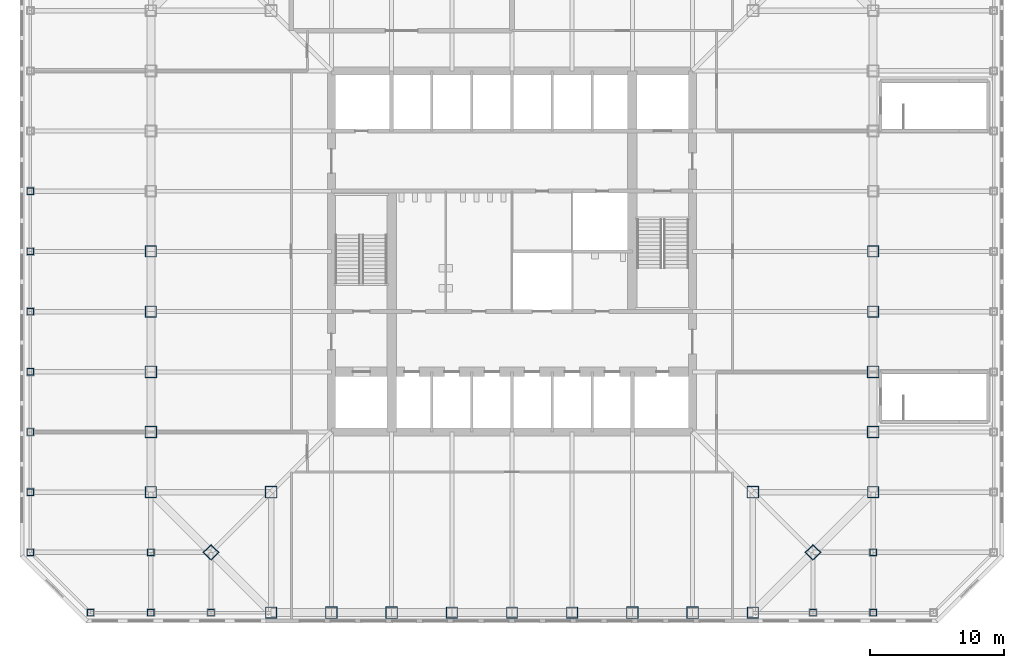
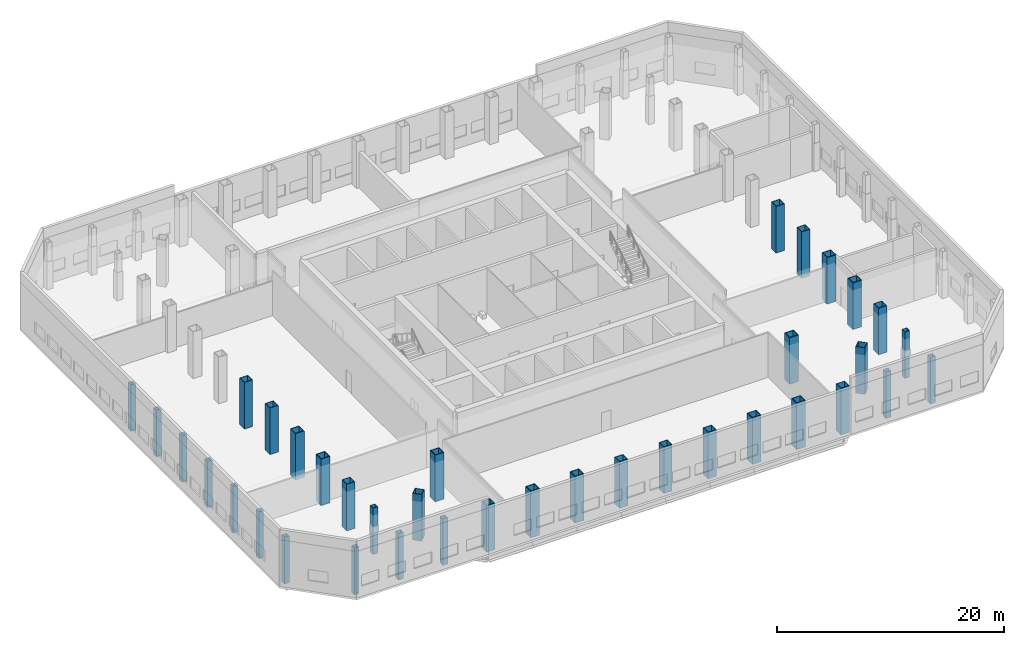
# One storey, part 1 of 14: 37 columns.
"""IFC4 building model written with IfcOpenShell, lengths in metres."""

import ifcopenshell
import ifcopenshell.guid

model = None  # the IFC model being written
_history = None  # IfcOwnerHistory: only IFC2X3 demands one
_inside = {}  # id of a spatial element -> (the spatial element, [elements in it])
_under = {}  # id of a project, library or spatial element -> (it, [spatial elements below it])
_declared = {}  # id of a project -> (the project, [libraries it declares])
_typed = {}  # id of a type object -> (the type object, [elements of that type])
_made_of = {}  # id of a material, layer set ... -> (it, [elements and type objects made of it])


def new_model(schema):
    """Start an empty IFC model of exactly this schema.

    Asked for "IFC4X3", IfcOpenShell would pick the latest addendum, in which some entities
    have other attributes; the version numbers below select the first issue.
    IFC2X3 requires an IfcOwnerHistory on every rooted entity: one is made here for all.
    """
    global model, _history
    if schema == "IFC4X3":
        model = ifcopenshell.file(schema_version=(4, 3, 0, 0))
    else:
        model = ifcopenshell.file(schema=schema)
    _inside.clear()
    _under.clear()
    _declared.clear()
    _typed.clear()
    _made_of.clear()
    _history = None
    if model.schema == "IFC2X3":
        org = make("IfcOrganization", Name="unknown")
        user = make(
            "IfcPersonAndOrganization",
            ThePerson=make("IfcPerson", FamilyName="unknown"),
            TheOrganization=org,
        )
        app = make(
            "IfcApplication",
            ApplicationDeveloper=org,
            Version="unknown",
            ApplicationFullName="unknown",
            ApplicationIdentifier="unknown",
        )
        _history = make(
            "IfcOwnerHistory",
            OwningUser=user,
            OwningApplication=app,
            ChangeAction="ADDED",
            CreationDate=0,
        )
    return model


def make(cls, **values):
    """One entity of the class cls with the attributes given. An attribute that is None is left unset."""
    return model.create_entity(
        cls, **{name: value for name, value in values.items() if value is not None}
    )


def rooted(cls, **values):
    """An entity with a GlobalId (a new one), such as an element, a storey or a relation."""
    return make(cls, GlobalId=ifcopenshell.guid.new(), OwnerHistory=_history, **values)


def si_unit(unit_type, name, prefix=None):
    """IfcSIUnit, for example si_unit("LENGTHUNIT", "METRE", prefix="MILLI")."""
    return make("IfcSIUnit", UnitType=unit_type, Prefix=prefix, Name=name)


def assignment(units):
    """IfcUnitAssignment: the units of a project."""
    return None if units is None else make("IfcUnitAssignment", Units=units)


def point(xyz):
    """IfcCartesianPoint."""
    return None if xyz is None else make("IfcCartesianPoint", Coordinates=xyz)


def direction(xyz):
    """IfcDirection."""
    return None if xyz is None else make("IfcDirection", DirectionRatios=xyz)


def frame(location, z_axis=None, x_axis=None):
    """IfcAxis2Placement3D, a coordinate frame: its origin and axes. An axis left out is left unset."""
    return make(
        "IfcAxis2Placement3D",
        Location=point(location),
        Axis=direction(z_axis),
        RefDirection=direction(x_axis),
    )


def frame_2d(location, x_axis=None):
    """IfcAxis2Placement2D, a coordinate frame in the plane: its origin and x axis."""
    return make(
        "IfcAxis2Placement2D", Location=point(location), RefDirection=direction(x_axis)
    )


def origin():
    """The frame at (0, 0, 0) with its axes left unset."""
    return frame((0.0, 0.0, 0.0))


def origin_2d():
    """The frame at (0, 0) in the plane with its x axis left unset."""
    return frame_2d((0.0, 0.0))


def place(relative_to, where):
    """IfcLocalPlacement: puts the frame where relative to a parent placement (None: the world)."""
    return make(
        "IfcLocalPlacement", PlacementRelTo=relative_to, RelativePlacement=where
    )


def context(
    kind, dimensions, precision=None, world=None, true_north=None, identifier=None
):
    """IfcGeometricRepresentationContext, for example the 3D "Model" context."""
    return make(
        "IfcGeometricRepresentationContext",
        ContextIdentifier=identifier,
        ContextType=kind,
        CoordinateSpaceDimension=dimensions,
        Precision=precision,
        WorldCoordinateSystem=world,
        TrueNorth=true_north,
    )


def subcontext(parent, identifier, kind, view, scale=None):
    """IfcGeometricRepresentationSubContext, for example "Body" below "Model"."""
    return make(
        "IfcGeometricRepresentationSubContext",
        ContextIdentifier=identifier,
        ContextType=kind,
        ParentContext=parent,
        TargetScale=scale,
        TargetView=view,
    )


def project(units=None, contexts=None):
    """IfcProject with its units and contexts."""
    return rooted(
        "IfcProject",
        Name="project",
        RepresentationContexts=contexts,
        UnitsInContext=assignment(units),
    )


def spatial(cls, under=None, at=None, **own):
    """A site, building, storey or space (cls), placed at a placement, below another one or the project."""
    s = rooted(cls, ObjectPlacement=at, **own)
    if under is not None:
        _under.setdefault(under.id(), (under, []))[1].append(s)
    return s


def profile(cls, at=None, kind="AREA", **sizes):
    """A parametric profile (cls). Its sizes go by their IFC names, for example OverallWidth=200.0."""
    return make(cls, ProfileType=kind, Position=at, **sizes)


def hollow_rectangle(**sizes):
    """IfcRectangleHollowProfileDef."""
    return profile("IfcRectangleHollowProfileDef", **sizes)


def extrude(swept, where, along, depth):
    """IfcExtrudedAreaSolid: the profile swept, set in the frame where, extruded along a direction by depth."""
    return make(
        "IfcExtrudedAreaSolid",
        SweptArea=swept,
        Position=where,
        ExtrudedDirection=direction(along),
        Depth=depth,
    )


def shape(context_of_items, identifier, shape_type, items):
    """IfcShapeRepresentation: the items that make up one representation, for example the "Body"."""
    return make(
        "IfcShapeRepresentation",
        ContextOfItems=context_of_items,
        RepresentationIdentifier=identifier,
        RepresentationType=shape_type,
        Items=items,
    )


def material(Name=None, Category=None):
    """IfcMaterial."""
    return make("IfcMaterial", Name=Name, Category=Category)


def material_profile(
    of_material, cross_section, Name=None, Category=None, Priority=None
):
    """IfcMaterialProfile: a cross section and its material."""
    return make(
        "IfcMaterialProfile",
        Name=Name,
        Material=of_material,
        Profile=cross_section,
        Priority=Priority,
        Category=Category,
    )


def profile_set(profiles, Name=None, composite=None):
    """IfcMaterialProfileSet."""
    return make(
        "IfcMaterialProfileSet",
        Name=Name,
        MaterialProfiles=profiles,
        CompositeProfile=composite,
    )


def made_of(thing, what):
    """Note that an element or type object is made of a material, layer set ...; save() writes the relation."""
    if what is not None:
        _made_of.setdefault(what.id(), (what, []))[1].append(thing)
    return thing


def type_object(cls, material=None, **own):
    """A type object (cls), such as IfcWallType, which elements share."""
    return made_of(rooted(cls, **own), material)


def element(
    cls,
    number,
    at=None,
    inside=None,
    cuts=None,
    type_object=None,
    material=None,
    context=None,
    identifier="Body",
    shape_type=None,
    held_by="IfcProductDefinitionShape",
    body=None,
    shapes=None,
    **own,
):
    """One element of the class cls, such as IfcWall. Its Tag is "e" and its number.

    at: its placement. inside: the storey or other place that contains it. cuts: it is an
    opening in that element (IfcRelVoidsElement). A single representation is given by context,
    identifier, shape_type and body (its items); several are given by shapes. held_by: the class
    of the entity that holds the representations. save() writes the other relations.
    """
    e = rooted(cls, Tag="e%d" % number, ObjectPlacement=at, **own)
    if body is not None:
        shapes = [shape(context, identifier, shape_type, body)]
    if shapes is not None:
        e.Representation = make(held_by, Representations=shapes)
    if inside is not None:
        _inside.setdefault(inside.id(), (inside, []))[1].append(e)
    if cuts is not None:
        rooted(
            "IfcRelVoidsElement", RelatingBuildingElement=cuts, RelatedOpeningElement=e
        )
    if type_object is not None:
        _typed.setdefault(type_object.id(), (type_object, []))[1].append(e)
    return made_of(e, material)


def aggregate(whole, parts):
    """IfcRelAggregates: a whole, such as a stair, and the parts it consists of."""
    return rooted("IfcRelAggregates", RelatingObject=whole, RelatedObjects=parts)


def save(model, path):
    """Write the relations noted so far, then the file.

    IfcRelAggregates (storeys below a building ...), IfcRelContainedInSpatialStructure (elements
    in a storey), IfcRelDefinesByType, IfcRelAssociatesMaterial and IfcRelDeclares: one each for
    every whole, place, type object, material and project.
    """
    for whole, parts in _under.values():
        aggregate(whole, parts)
    for where, things in _inside.values():
        rooted(
            "IfcRelContainedInSpatialStructure",
            RelatedElements=things,
            RelatingStructure=where,
        )
    for kind, things in _typed.values():
        rooted("IfcRelDefinesByType", RelatedObjects=things, RelatingType=kind)
    for what, things in _made_of.values():
        rooted("IfcRelAssociatesMaterial", RelatedObjects=things, RelatingMaterial=what)
    for by, libraries in _declared.values():
        rooted("IfcRelDeclares", RelatingContext=by, RelatedDefinitions=libraries)
    model.write(path)


model = new_model("IFC4")

# Units and contexts
model_context = context("Model", 3, precision=1e-05, world=origin(), true_north=direction((0.0, 1.0)))
body_context = subcontext(model_context, "Body", "Model", "MODEL_VIEW")
ifc_project = project(units=[si_unit("LENGTHUNIT", "METRE"), si_unit("AREAUNIT", "SQUARE_METRE"), si_unit("VOLUMEUNIT", "CUBIC_METRE"), si_unit("PLANEANGLEUNIT", "RADIAN"), si_unit("MASSUNIT", "GRAM", prefix="KILO")], contexts=[model_context])

# Site, building, storey
site_placement = place(None, origin())
site = spatial("IfcSite", under=ifc_project, at=site_placement, CompositionType="ELEMENT")
building_placement = place(site_placement, origin())
building = spatial("IfcBuilding", under=site, at=building_placement, Name="Corais Broadcast Tower", CompositionType="ELEMENT")
storey_placement = place(building_placement, frame((0.0, 0.0, 18.0)))
storey = spatial("IfcBuildingStorey", under=building, at=storey_placement, Name="L03", CompositionType="ELEMENT", Elevation=18.0)

# Columns
ifc_material_1 = material(Name="Steel ASTM A572 Grade 50", Category="steel")
ifc_material_profile_1 = material_profile(ifc_material_1, hollow_rectangle(XDim=0.5, YDim=0.5, WallThickness=0.02197265625, at=origin_2d()), Name="BOX 500x500x22")
ifc_profile_set_1 = profile_set([ifc_material_profile_1], Name="Steel ASTM A572 Grade 50")
column_type_1 = type_object("IfcColumnType", Name="Column BOX 500x500x22", PredefinedType="COLUMN", material=ifc_profile_set_1)
for number, where, z_axis, x_axis, name in (
    (1, (-9.0, 4.5, 0.0), (0.0, 0.0, 1.0), (1.0, 0.0, 0.0), "C9 B/1"),
    (2, (-9.0, 9.0, 0.0), (0.0, 0.0, 1.0), (1.0, 0.0, 0.0), "C9 C/1"),
    (3, (-9.0, 13.5, 0.0), (0.0, 0.0, 1.0), (1.0, 0.0, 0.0), "C9 D/1"),
    (4, (-9.0, 18.0, 0.0), (0.0, 0.0, 1.0), (1.0, 0.0, 0.0), "C9 E/1"),
    (5, (-9.0, 22.5, 0.0), (0.0, 0.0, 1.0), (1.0, 0.0, 0.0), "C9 F/1"),
    (6, (-9.0, 27.0, 0.0), (0.0, 0.0, 1.0), (1.0, 0.0, 0.0), "C9 G/1"),
    (7, (-9.0, 31.5, 0.0), (0.0, 0.0, 1.0), (1.0, 0.0, 0.0), "C9 H/1"),
    (8, (-4.5, 0.0, 0.0), (0.0, 0.0, 1.0), (1.0, 0.0, 0.0), "C9 A/2"),
    (9, (0.0, 0.0, 0.0), (0.0, 0.0, 1.0), (1.0, 0.0, 0.0), "C9 A/3"),
    (10, (4.5, 0.0, 0.0), (0.0, 0.0, 1.0), (1.0, 0.0, 0.0), "C9 A/4"),
    (11, (0.0, 4.5, 0.0), (0.0, 0.0, 1.0), (1.0, 0.0, 0.0), "C9 B/3"),
    (12, (54.0, 0.0, 0.0), (0.0, 0.0, 1.0), (1.0, 0.0, 0.0), "C9 A/15"),
    (13, (49.5, 0.0, 0.0), (0.0, 0.0, 1.0), (1.0, 0.0, 0.0), "C9 A/14"),
    (14, (54.0, 4.5, 0.0), (0.0, 0.0, 1.0), (1.0, 0.0, 0.0), "C9 B/15"),
):
    element("IfcColumn", number, at=place(storey_placement, frame(where, z_axis=z_axis, x_axis=x_axis)), inside=storey, type_object=column_type_1, Name=name, PredefinedType="COLUMN", context=body_context, shape_type="SweptSolid", body=[
        extrude(hollow_rectangle(XDim=0.5, YDim=0.5, WallThickness=0.02197265625, at=origin_2d()), origin(), (0.0, 0.0, 1.0), 5.0),
    ])
ifc_material_2 = material(Name="Steel ASTM A572 Grade 50", Category="steel")
ifc_material_profile_2 = material_profile(ifc_material_2, hollow_rectangle(XDim=0.85009765625, YDim=0.85009765625, WallThickness=0.050048828125, at=origin_2d()), Name="BOX 850x850x50")
ifc_profile_set_2 = profile_set([ifc_material_profile_2], Name="Steel ASTM A572 Grade 50")
column_type_2 = type_object("IfcColumnType", Name="Column BOX 850x850x50", PredefinedType="COLUMN", material=ifc_profile_set_2)
for number, where, z_axis, x_axis, name in (
    (15, (9.0, 0.0, 0.0), (0.0, 0.0, 1.0), (1.0, 0.0, 0.0), "C1 A/5"),
    (16, (22.5, 0.0, 0.0), (0.0, 0.0, 1.0), (1.0, 0.0, 0.0), "C1 A/8"),
    (17, (27.0, 0.0, 0.0), (0.0, 0.0, 1.0), (1.0, 0.0, 0.0), "C1 A/9"),
    (18, (31.5, 0.0, 0.0), (0.0, 0.0, 1.0), (1.0, 0.0, 0.0), "C1 A/10"),
    (19, (45.0, 0.0, 0.0), (0.0, 0.0, 1.0), (1.0, 0.0, 0.0), "C1 A/13"),
    (20, (54.0, 9.0, 0.0), (0.0, 0.0, 1.0), (1.0, 0.0, 0.0), "C1 C/15"),
    (21, (54.0, 22.5, 0.0), (0.0, 0.0, 1.0), (1.0, 0.0, 0.0), "C1 F/15"),
    (22, (54.0, 27.0, 0.0), (0.0, 0.0, 1.0), (1.0, 0.0, 0.0), "C1 G/15"),
    (23, (0.0, 27.0, 0.0), (0.0, 0.0, 1.0), (1.0, 0.0, 0.0), "C1 G/3"),
    (24, (0.0, 22.5, 0.0), (0.0, 0.0, 1.0), (1.0, 0.0, 0.0), "C1 F/3"),
    (25, (0.0, 9.0, 0.0), (0.0, 0.0, 1.0), (1.0, 0.0, 0.0), "C1 C/3"),
    (26, (4.5, 4.5, 0.0), (0.0, 0.0, 1.0), (0.707106781187, 0.707106781187, 0.0), "C1 B/4"),
    (27, (49.5, 4.5, 0.0), (0.0, 0.0, 1.0), (0.707106781187, 0.707106781187, 0.0), "C1 B/14"),
):
    element("IfcColumn", number, at=place(storey_placement, frame(where, z_axis=z_axis, x_axis=x_axis)), inside=storey, type_object=column_type_2, Name=name, PredefinedType="COLUMN", context=body_context, shape_type="SweptSolid", body=[
        extrude(hollow_rectangle(XDim=0.85009765625, YDim=0.85009765625, WallThickness=0.050048828125, at=origin_2d()), origin(), (0.0, 0.0, 1.0), 5.0),
    ])
ifc_material_3 = material(Name="Steel ASTM A572 Grade 50", Category="steel")
ifc_material_profile_3 = material_profile(ifc_material_3, hollow_rectangle(XDim=0.89990234375, YDim=0.89990234375, WallThickness=0.06298828125, at=origin_2d()), Name="BOX 900x900x63")
ifc_profile_set_3 = profile_set([ifc_material_profile_3], Name="Steel ASTM A572 Grade 50")
column_type_3 = type_object("IfcColumnType", Name="Column BOX 900x900x63", PredefinedType="COLUMN", material=ifc_profile_set_3)
for number, where, z_axis, x_axis, name in (
    (28, (13.5, 0.0, 0.0), (0.0, 0.0, 1.0), (1.0, 0.0, 0.0), "C2 A/6"),
    (29, (18.0, 0.0, 0.0), (0.0, 0.0, 1.0), (1.0, 0.0, 0.0), "C2 A/7"),
    (30, (36.0, 0.0, 0.0), (0.0, 0.0, 1.0), (1.0, 0.0, 0.0), "C2 A/11"),
    (31, (40.5, 0.0, 0.0), (0.0, 0.0, 1.0), (1.0, 0.0, 0.0), "C2 A/12"),
    (32, (54.0, 13.5, 0.0), (0.0, 0.0, 1.0), (1.0, 0.0, 0.0), "C2 D/15"),
    (33, (54.0, 18.0, 0.0), (0.0, 0.0, 1.0), (1.0, 0.0, 0.0), "C2 E/15"),
    (34, (0.0, 18.0, 0.0), (0.0, 0.0, 1.0), (1.0, 0.0, 0.0), "C2 E/3"),
    (35, (0.0, 13.5, 0.0), (0.0, 0.0, 1.0), (1.0, 0.0, 0.0), "C2 D/3"),
    (36, (9.0, 9.0, 0.0), (0.0, 0.0, 1.0), (1.0, 0.0, 0.0), "C2 C/5"),
    (37, (45.0, 9.0, 0.0), (0.0, 0.0, 1.0), (1.0, 0.0, 0.0), "C2 C/13"),
):
    element("IfcColumn", number, at=place(storey_placement, frame(where, z_axis=z_axis, x_axis=x_axis)), inside=storey, type_object=column_type_3, Name=name, PredefinedType="COLUMN", context=body_context, shape_type="SweptSolid", body=[
        extrude(hollow_rectangle(XDim=0.89990234375, YDim=0.89990234375, WallThickness=0.06298828125, at=origin_2d()), origin(), (0.0, 0.0, 1.0), 5.0),
    ])

save(model, "model.ifc")
